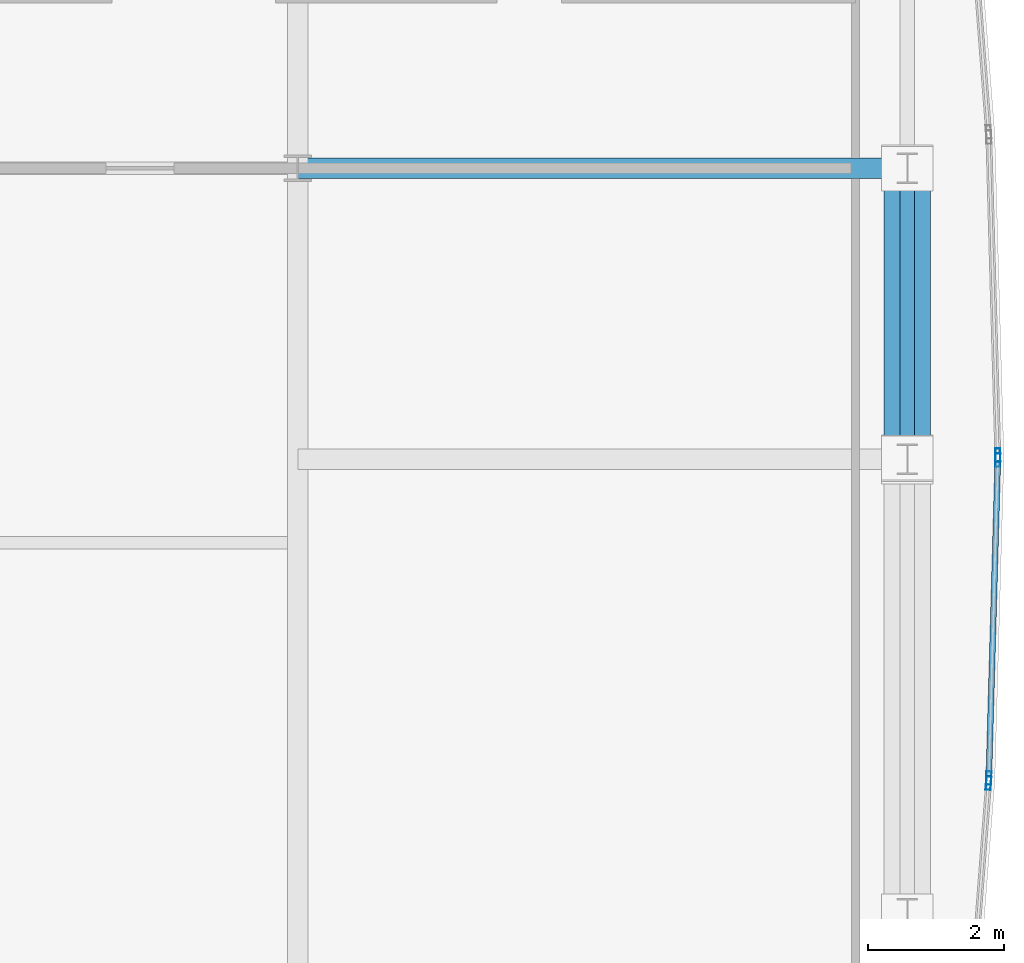
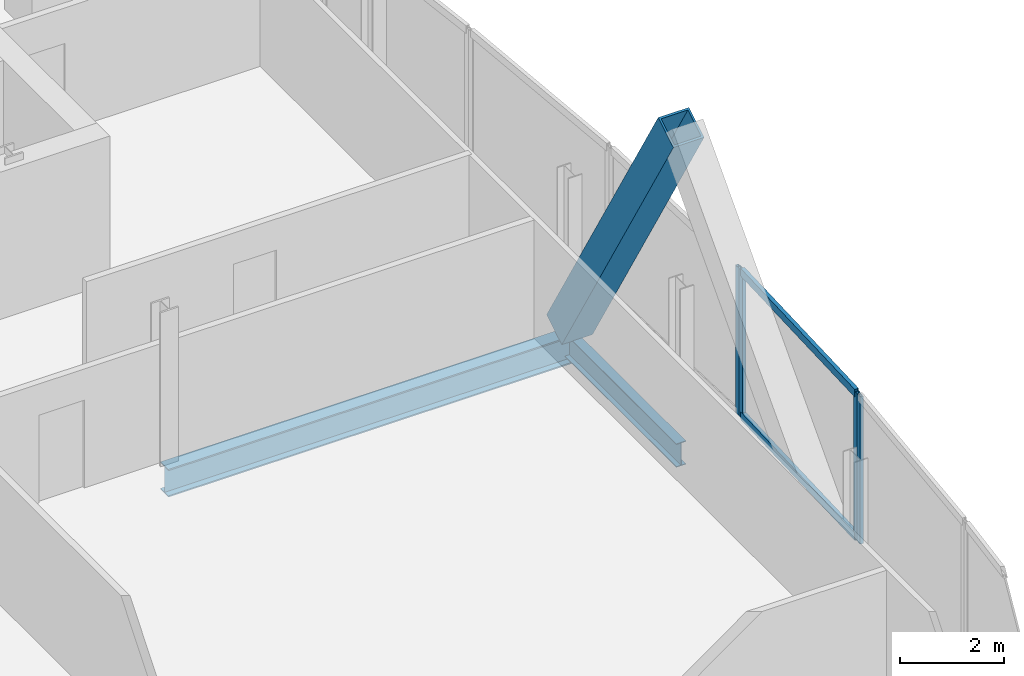
# One storey, part 18 of 30: 7 members, 2 beams, 3 elements without a shape of their own.
"""IFC4 building model written with IfcOpenShell, lengths in metres."""

import ifcopenshell
import ifcopenshell.guid

model = None  # the IFC model being written
_history = None  # IfcOwnerHistory: only IFC2X3 demands one
_inside = {}  # id of a spatial element -> (the spatial element, [elements in it])
_under = {}  # id of a project, library or spatial element -> (it, [spatial elements below it])
_declared = {}  # id of a project -> (the project, [libraries it declares])
_typed = {}  # id of a type object -> (the type object, [elements of that type])
_made_of = {}  # id of a material, layer set ... -> (it, [elements and type objects made of it])


def new_model(schema):
    """Start an empty IFC model of exactly this schema.

    Asked for "IFC4X3", IfcOpenShell would pick the latest addendum, in which some entities
    have other attributes; the version numbers below select the first issue.
    IFC2X3 requires an IfcOwnerHistory on every rooted entity: one is made here for all.
    """
    global model, _history
    if schema == "IFC4X3":
        model = ifcopenshell.file(schema_version=(4, 3, 0, 0))
    else:
        model = ifcopenshell.file(schema=schema)
    _inside.clear()
    _under.clear()
    _declared.clear()
    _typed.clear()
    _made_of.clear()
    _history = None
    if model.schema == "IFC2X3":
        org = make("IfcOrganization", Name="unknown")
        user = make(
            "IfcPersonAndOrganization",
            ThePerson=make("IfcPerson", FamilyName="unknown"),
            TheOrganization=org,
        )
        app = make(
            "IfcApplication",
            ApplicationDeveloper=org,
            Version="unknown",
            ApplicationFullName="unknown",
            ApplicationIdentifier="unknown",
        )
        _history = make(
            "IfcOwnerHistory",
            OwningUser=user,
            OwningApplication=app,
            ChangeAction="ADDED",
            CreationDate=0,
        )
    return model


def make(cls, **values):
    """One entity of the class cls with the attributes given. An attribute that is None is left unset."""
    return model.create_entity(
        cls, **{name: value for name, value in values.items() if value is not None}
    )


def rooted(cls, **values):
    """An entity with a GlobalId (a new one), such as an element, a storey or a relation."""
    return make(cls, GlobalId=ifcopenshell.guid.new(), OwnerHistory=_history, **values)


def si_unit(unit_type, name, prefix=None):
    """IfcSIUnit, for example si_unit("LENGTHUNIT", "METRE", prefix="MILLI")."""
    return make("IfcSIUnit", UnitType=unit_type, Prefix=prefix, Name=name)


def assignment(units):
    """IfcUnitAssignment: the units of a project."""
    return None if units is None else make("IfcUnitAssignment", Units=units)


def point(xyz):
    """IfcCartesianPoint."""
    return None if xyz is None else make("IfcCartesianPoint", Coordinates=xyz)


def direction(xyz):
    """IfcDirection."""
    return None if xyz is None else make("IfcDirection", DirectionRatios=xyz)


def frame(location, z_axis=None, x_axis=None):
    """IfcAxis2Placement3D, a coordinate frame: its origin and axes. An axis left out is left unset."""
    return make(
        "IfcAxis2Placement3D",
        Location=point(location),
        Axis=direction(z_axis),
        RefDirection=direction(x_axis),
    )


def frame_2d(location, x_axis=None):
    """IfcAxis2Placement2D, a coordinate frame in the plane: its origin and x axis."""
    return make(
        "IfcAxis2Placement2D", Location=point(location), RefDirection=direction(x_axis)
    )


def origin():
    """The frame at (0, 0, 0) with its axes left unset."""
    return frame((0.0, 0.0, 0.0))


def origin_2d():
    """The frame at (0, 0) in the plane with its x axis left unset."""
    return frame_2d((0.0, 0.0))


def place(relative_to, where):
    """IfcLocalPlacement: puts the frame where relative to a parent placement (None: the world)."""
    return make(
        "IfcLocalPlacement", PlacementRelTo=relative_to, RelativePlacement=where
    )


def context(
    kind, dimensions, precision=None, world=None, true_north=None, identifier=None
):
    """IfcGeometricRepresentationContext, for example the 3D "Model" context."""
    return make(
        "IfcGeometricRepresentationContext",
        ContextIdentifier=identifier,
        ContextType=kind,
        CoordinateSpaceDimension=dimensions,
        Precision=precision,
        WorldCoordinateSystem=world,
        TrueNorth=true_north,
    )


def subcontext(parent, identifier, kind, view, scale=None):
    """IfcGeometricRepresentationSubContext, for example "Body" below "Model"."""
    return make(
        "IfcGeometricRepresentationSubContext",
        ContextIdentifier=identifier,
        ContextType=kind,
        ParentContext=parent,
        TargetScale=scale,
        TargetView=view,
    )


def project(units=None, contexts=None):
    """IfcProject with its units and contexts."""
    return rooted(
        "IfcProject",
        Name="project",
        RepresentationContexts=contexts,
        UnitsInContext=assignment(units),
    )


def spatial(cls, under=None, at=None, **own):
    """A site, building, storey or space (cls), placed at a placement, below another one or the project."""
    s = rooted(cls, ObjectPlacement=at, **own)
    if under is not None:
        _under.setdefault(under.id(), (under, []))[1].append(s)
    return s


def profile(cls, at=None, kind="AREA", **sizes):
    """A parametric profile (cls). Its sizes go by their IFC names, for example OverallWidth=200.0."""
    return make(cls, ProfileType=kind, Position=at, **sizes)


def hollow_rectangle(**sizes):
    """IfcRectangleHollowProfileDef."""
    return profile("IfcRectangleHollowProfileDef", **sizes)


def i_section(**sizes):
    """IfcIShapeProfileDef."""
    return profile("IfcIShapeProfileDef", **sizes)


def extrude(swept, where, along, depth):
    """IfcExtrudedAreaSolid: the profile swept, set in the frame where, extruded along a direction by depth."""
    return make(
        "IfcExtrudedAreaSolid",
        SweptArea=swept,
        Position=where,
        ExtrudedDirection=direction(along),
        Depth=depth,
    )


def shape(context_of_items, identifier, shape_type, items):
    """IfcShapeRepresentation: the items that make up one representation, for example the "Body"."""
    return make(
        "IfcShapeRepresentation",
        ContextOfItems=context_of_items,
        RepresentationIdentifier=identifier,
        RepresentationType=shape_type,
        Items=items,
    )


def material(Name=None, Category=None):
    """IfcMaterial."""
    return make("IfcMaterial", Name=Name, Category=Category)


def material_profile(
    of_material, cross_section, Name=None, Category=None, Priority=None
):
    """IfcMaterialProfile: a cross section and its material."""
    return make(
        "IfcMaterialProfile",
        Name=Name,
        Material=of_material,
        Profile=cross_section,
        Priority=Priority,
        Category=Category,
    )


def profile_set(profiles, Name=None, composite=None):
    """IfcMaterialProfileSet."""
    return make(
        "IfcMaterialProfileSet",
        Name=Name,
        MaterialProfiles=profiles,
        CompositeProfile=composite,
    )


def made_of(thing, what):
    """Note that an element or type object is made of a material, layer set ...; save() writes the relation."""
    if what is not None:
        _made_of.setdefault(what.id(), (what, []))[1].append(thing)
    return thing


def type_object(cls, material=None, **own):
    """A type object (cls), such as IfcWallType, which elements share."""
    return made_of(rooted(cls, **own), material)


def element(
    cls,
    number,
    at=None,
    inside=None,
    cuts=None,
    type_object=None,
    material=None,
    context=None,
    identifier="Body",
    shape_type=None,
    held_by="IfcProductDefinitionShape",
    body=None,
    shapes=None,
    **own,
):
    """One element of the class cls, such as IfcWall. Its Tag is "e" and its number.

    at: its placement. inside: the storey or other place that contains it. cuts: it is an
    opening in that element (IfcRelVoidsElement). A single representation is given by context,
    identifier, shape_type and body (its items); several are given by shapes. held_by: the class
    of the entity that holds the representations. save() writes the other relations.
    """
    e = rooted(cls, Tag="e%d" % number, ObjectPlacement=at, **own)
    if body is not None:
        shapes = [shape(context, identifier, shape_type, body)]
    if shapes is not None:
        e.Representation = make(held_by, Representations=shapes)
    if inside is not None:
        _inside.setdefault(inside.id(), (inside, []))[1].append(e)
    if cuts is not None:
        rooted(
            "IfcRelVoidsElement", RelatingBuildingElement=cuts, RelatedOpeningElement=e
        )
    if type_object is not None:
        _typed.setdefault(type_object.id(), (type_object, []))[1].append(e)
    return made_of(e, material)


def aggregate(whole, parts):
    """IfcRelAggregates: a whole, such as a stair, and the parts it consists of."""
    return rooted("IfcRelAggregates", RelatingObject=whole, RelatedObjects=parts)


def save(model, path):
    """Write the relations noted so far, then the file.

    IfcRelAggregates (storeys below a building ...), IfcRelContainedInSpatialStructure (elements
    in a storey), IfcRelDefinesByType, IfcRelAssociatesMaterial and IfcRelDeclares: one each for
    every whole, place, type object, material and project.
    """
    for whole, parts in _under.values():
        aggregate(whole, parts)
    for where, things in _inside.values():
        rooted(
            "IfcRelContainedInSpatialStructure",
            RelatedElements=things,
            RelatingStructure=where,
        )
    for kind, things in _typed.values():
        rooted("IfcRelDefinesByType", RelatedObjects=things, RelatingType=kind)
    for what, things in _made_of.values():
        rooted("IfcRelAssociatesMaterial", RelatedObjects=things, RelatingMaterial=what)
    for by, libraries in _declared.values():
        rooted("IfcRelDeclares", RelatingContext=by, RelatedDefinitions=libraries)
    model.write(path)


model = new_model("IFC4")

# Units and contexts
model_context = context("Model", 3, precision=1e-05, world=origin(), true_north=direction((0.0, 1.0)))
body_context = subcontext(model_context, "Body", "Model", "MODEL_VIEW")
ifc_project = project(units=[si_unit("LENGTHUNIT", "METRE"), si_unit("AREAUNIT", "SQUARE_METRE"), si_unit("VOLUMEUNIT", "CUBIC_METRE"), si_unit("PLANEANGLEUNIT", "RADIAN"), si_unit("MASSUNIT", "GRAM", prefix="KILO")], contexts=[model_context])

# Site, building, storey
site_placement = place(None, origin())
site = spatial("IfcSite", under=ifc_project, at=site_placement, CompositionType="ELEMENT")
building_placement = place(site_placement, origin())
building = spatial("IfcBuilding", under=site, at=building_placement, Name="Khoronbel Lancet Exchange", CompositionType="ELEMENT")
storey_placement = place(building_placement, frame((0.0, 0.0, 284.199951171875)))
storey = spatial("IfcBuildingStorey", under=building, at=storey_placement, Name="L73", CompositionType="ELEMENT", Elevation=284.199951171875)

# Beams
ifc_material_1 = material(Name="Steel S355", Category="steel")
ifc_material_profile_1 = material_profile(ifc_material_1, i_section(OverallWidth=0.300048828125, OverallDepth=0.64990234375, WebThickness=0.01611328125, FlangeThickness=0.031005859375, at=origin_2d()), Name="HEB 650")
ifc_profile_set_1 = profile_set([ifc_material_profile_1], Name="Steel S355")
beam_type_1 = type_object("IfcBeamType", Name="BM-BG4", PredefinedType="BEAM", material=ifc_profile_set_1)
beam_1_placement = place(storey_placement, frame((54.675048828125, 35.699951171875, -0.48486328125), z_axis=(1.0, 0.0, 0.0), x_axis=(0.0, 1.0, 0.0)))
element("IfcBeam", 1, at=beam_1_placement, inside=storey, type_object=beam_type_1, Name="Level L73 east lens tie girder LG4E", PredefinedType="BEAM", context=body_context, shape_type="SweptSolid", body=[
    extrude(i_section(OverallWidth=0.300048828125, OverallDepth=0.64990234375, WebThickness=0.01611328125, FlangeThickness=0.031005859375, at=origin_2d()), origin(), (0.0, 0.0, 1.0), 8.954833984375),
])
ifc_material_profile_2 = material_profile(ifc_material_1, i_section(OverallWidth=0.2099609375, OverallDepth=0.550048828125, WebThickness=0.010986328125, FlangeThickness=0.01708984375, at=origin_2d()), Name="IPE 550")
ifc_profile_set_2 = profile_set([ifc_material_profile_2], Name="Steel S355")
beam_type_2 = type_object("IfcBeamType", Name="BM-BSP3", PredefinedType="SPANDREL", material=ifc_profile_set_2)
beam_2_placement = place(storey_placement, frame((63.6298828125, 31.425048828125, -0.43505859375), z_axis=(0.0, 1.0, 0.0), x_axis=(-1.0, 0.0, 0.0)))
element("IfcBeam", 2, at=beam_2_placement, inside=storey, type_object=beam_type_2, Name="Level L73 perimeter spandrel beam SP13", PredefinedType="SPANDREL", context=body_context, shape_type="SweptSolid", body=[
    extrude(i_section(OverallWidth=0.2099609375, OverallDepth=0.550048828125, WebThickness=0.010986328125, FlangeThickness=0.01708984375, at=origin_2d()), origin(), (0.0, 0.0, 1.0), 4.27490234375),
])

# Curtain wall, member
ifc_material_2 = material(Name="Low-E Solar Control Insulating Glass", Category="glass")
curtain_wall_type = type_object("IfcCurtainWallType", Name="CW-4", PredefinedType="NOTDEFINED", material=ifc_material_2)
curtain_wall_1_placement = place(storey_placement, origin())
curtain_wall_1 = element("IfcCurtainWall", 3, at=curtain_wall_1_placement, inside=storey, type_object=curtain_wall_type, Name="Unitised curtain wall CW-L73-E19", PredefinedType="NOTDEFINED")
ifc_material_3 = material(Name="Bronze-Anodised Aluminium 6063-T6", Category="aluminium")
ifc_material_profile_3 = material_profile(ifc_material_3, hollow_rectangle(XDim=0.074951171875, YDim=0.199951171875, WallThickness=0.0048828125, at=origin_2d()), Name="ALU MULLION 75x200")
ifc_profile_set_3 = profile_set([ifc_material_profile_3], Name="Bronze-Anodised Aluminium 6063-T6")
member_type_1 = type_object("IfcMemberType", Name="MEM-CWM2", PredefinedType="MULLION", material=ifc_profile_set_3)
member_1_placement = place(storey_placement, frame((64.958984375, 31.487548828125, 0.0), z_axis=(0.0, 0.0, 1.0), x_axis=(0.999602126917, 0.028206167106, 0.0)))
member_1 = element("IfcMember", 4, at=member_1_placement, type_object=member_type_1, Name="CW4 mullion 2", PredefinedType="MULLION", context=body_context, shape_type="SweptSolid", body=[
    extrude(hollow_rectangle(XDim=0.074951171875, YDim=0.199951171875, WallThickness=0.0048828125, at=origin_2d()), origin(), (0.0, 0.0, 1.0), 3.43994140625),
])
aggregate(curtain_wall_1, [member_1])

# Curtain wall, members
curtain_wall_2_placement = place(storey_placement, origin())
curtain_wall_2 = element("IfcCurtainWall", 5, at=curtain_wall_2_placement, inside=storey, type_object=curtain_wall_type, Name="Unitised curtain wall CW-L73-E20", PredefinedType="NOTDEFINED")
member_2_placement = place(storey_placement, frame((64.958984375, 31.41259765625, 0.0), z_axis=(0.0, 0.0, 1.0), x_axis=(0.999602126917, -0.028206167106, 0.0)))
member_2 = element("IfcMember", 6, at=member_2_placement, type_object=member_type_1, Name="CW4 mullion 1", PredefinedType="MULLION", context=body_context, shape_type="SweptSolid", body=[
    extrude(hollow_rectangle(XDim=0.074951171875, YDim=0.199951171875, WallThickness=0.0048828125, at=origin_2d()), origin(), (0.0, 0.0, 1.0), 3.43994140625),
])
member_3_placement = place(storey_placement, frame((64.8271484375, 26.7421875, 0.0), z_axis=(0.0, 0.0, 1.0), x_axis=(0.999602126917, -0.028206167106, 0.0)))
member_3 = element("IfcMember", 7, at=member_3_placement, type_object=member_type_1, Name="CW4 mullion 2", PredefinedType="MULLION", context=body_context, shape_type="SweptSolid", body=[
    extrude(hollow_rectangle(XDim=0.074951171875, YDim=0.199951171875, WallThickness=0.0048828125, at=origin_2d()), origin(), (0.0, 0.0, 1.0), 3.43994140625),
])

# Curtain wall, member
curtain_wall_3_placement = place(storey_placement, origin())
curtain_wall_3 = element("IfcCurtainWall", 8, at=curtain_wall_3_placement, inside=storey, type_object=curtain_wall_type, Name="Unitised curtain wall CW-L73-E21", PredefinedType="NOTDEFINED")
member_4_placement = place(storey_placement, frame((64.8232421875, 26.667236328125, 0.0), z_axis=(0.0, 0.0, 1.0), x_axis=(0.997045087155, -0.076818579658, 0.0)))
member_4 = element("IfcMember", 9, at=member_4_placement, type_object=member_type_1, Name="CW4 mullion 1", PredefinedType="MULLION", context=body_context, shape_type="SweptSolid", body=[
    extrude(hollow_rectangle(XDim=0.074951171875, YDim=0.199951171875, WallThickness=0.0048828125, at=origin_2d()), origin(), (0.0, 0.0, 1.0), 3.43994140625),
])
aggregate(curtain_wall_3, [member_4])

# Member
ifc_material_profile_4 = material_profile(ifc_material_3, hollow_rectangle(XDim=0.0849609375, YDim=0.179931640625, WallThickness=0.0048828125, at=origin_2d()), Name="ALU TRANSOM 85x180")
ifc_profile_set_4 = profile_set([ifc_material_profile_4], Name="Bronze-Anodised Aluminium 6063-T6")
member_type_2 = type_object("IfcMemberType", Name="MEM-CWT1", PredefinedType="USERDEFINED", material=ifc_profile_set_4)
member_5_placement = place(storey_placement, frame((64.957763671875, 31.375, 0.04248046875), z_axis=(-0.028200447088, -0.999602288305, 0.0), x_axis=(0.999602288305, -0.028200447088, 0.0)))
member_5 = element("IfcMember", 10, at=member_5_placement, type_object=member_type_2, Name="CW4 transom 1.1", ObjectType="TRANSOM", PredefinedType="USERDEFINED", context=body_context, shape_type="SweptSolid", body=[
    extrude(hollow_rectangle(XDim=0.0849609375, YDim=0.179931640625, WallThickness=0.0048828125, at=origin_2d()), origin(), (0.0, 0.0, 1.0), 4.596923828125),
])

member_6_placement = place(storey_placement, frame((64.957763671875, 31.375, 3.3974609375), z_axis=(-0.028200447088, -0.999602288305, 0.0), x_axis=(0.999602288305, -0.028200447088, 0.0)))
member_6 = element("IfcMember", 11, at=member_6_placement, type_object=member_type_2, Name="CW4 transom 1.2", ObjectType="TRANSOM", PredefinedType="USERDEFINED", context=body_context, shape_type="SweptSolid", body=[
    extrude(hollow_rectangle(XDim=0.0849609375, YDim=0.179931640625, WallThickness=0.0048828125, at=origin_2d()), origin(), (0.0, 0.0, 1.0), 4.596923828125),
])

aggregate(curtain_wall_2, [member_2, member_3, member_5, member_6])

ifc_material_4 = material(Name="Steel S460", Category="steel")
ifc_material_profile_5 = material_profile(ifc_material_4, hollow_rectangle(XDim=0.679931640625, YDim=0.679931640625, WallThickness=0.044921875, at=origin_2d()), Name="BOX 680x680x45")
ifc_profile_set_5 = profile_set([ifc_material_profile_5], Name="Steel S460")
member_type_3 = type_object("IfcMemberType", Name="MEM-MB3", PredefinedType="BRACE", material=ifc_profile_set_5)
member_7_placement = place(storey_placement, frame((63.6298828125, 35.699951171875, 0.0), z_axis=(0.0, -0.510532691247, 0.859858343664), x_axis=(1.0, 0.0, 0.0)))
element("IfcMember", 12, at=member_7_placement, inside=storey, type_object=member_type_3, Name="Perimeter lancet brace tier 25 E-P-R", PredefinedType="BRACE", context=body_context, shape_type="SweptSolid", body=[
    extrude(hollow_rectangle(XDim=0.679931640625, YDim=0.679931640625, WallThickness=0.044921875, at=origin_2d()), origin(), (0.0, 0.0, 1.0), 8.37353515625),
])

save(model, "model.ifc")
